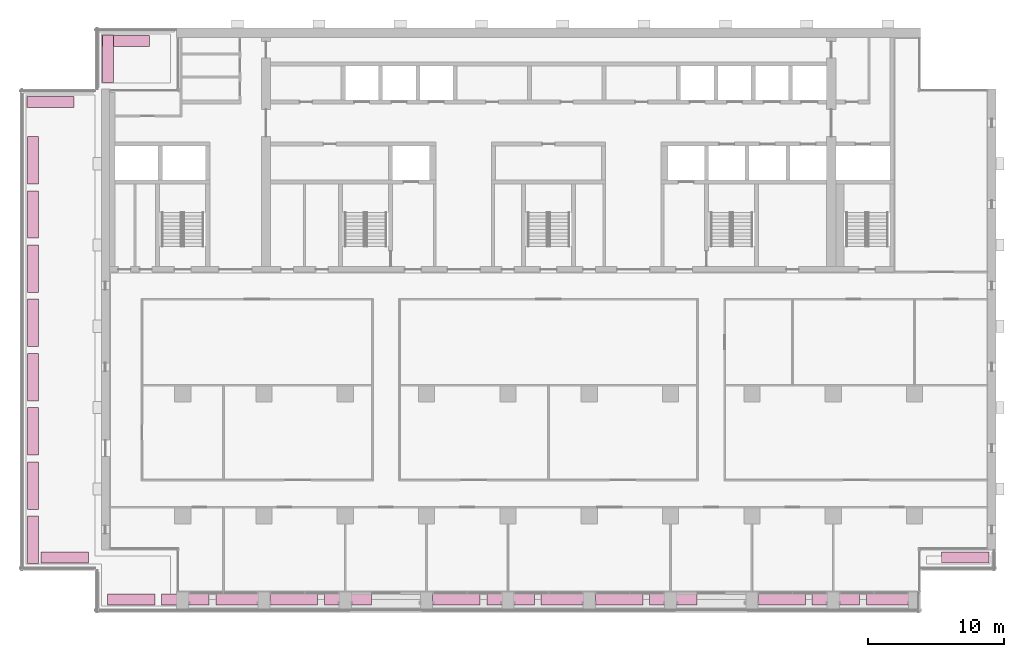
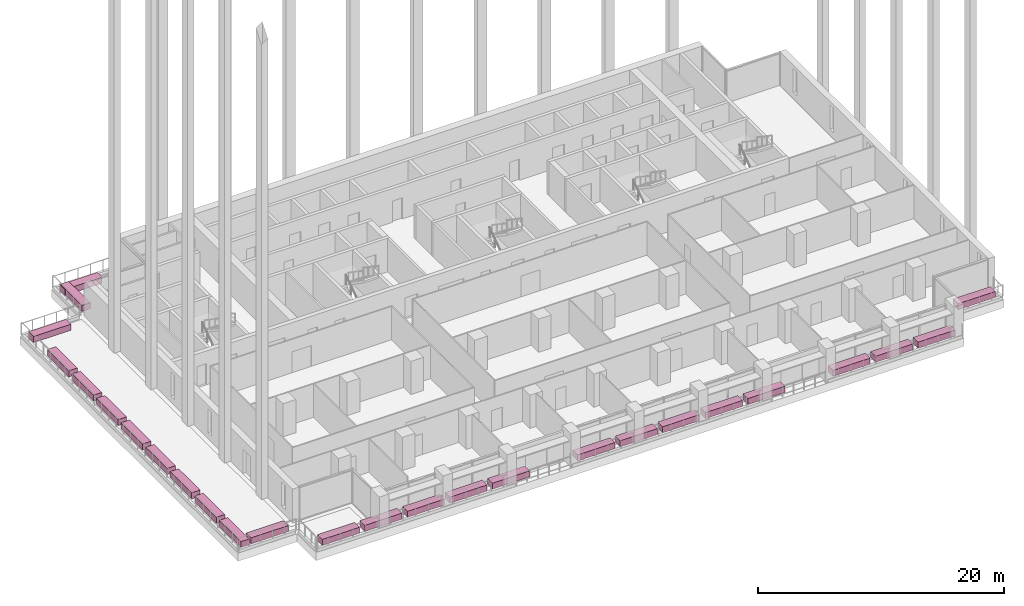
# One storey, part 19 of 19: 26 furniture elements.
"""IFC4 building model written with IfcOpenShell, lengths in metres."""

from ifc_helpers import new_model, si_unit, direction, frame, origin, origin_2d, place, context, subcontext, project, spatial, rectangle, extrude, element, save


model = new_model("IFC4")

# Units and contexts
model_context = context("Model", 3, precision=1e-05, world=origin(), true_north=direction((0.0, 1.0)))
body_context = subcontext(model_context, "Body", "Model", "MODEL_VIEW")
ifc_project = project(units=[si_unit("LENGTHUNIT", "METRE"), si_unit("AREAUNIT", "SQUARE_METRE"), si_unit("VOLUMEUNIT", "CUBIC_METRE"), si_unit("PLANEANGLEUNIT", "RADIAN"), si_unit("MASSUNIT", "GRAM", prefix="KILO")], contexts=[model_context])

# Site, building, storey
site_placement = place(None, origin())
site = spatial("IfcSite", under=ifc_project, at=site_placement, CompositionType="ELEMENT")
building_placement = place(site_placement, origin())
building = spatial("IfcBuilding", under=site, at=building_placement, Name="Calvaro Tower", CompositionType="ELEMENT")
storey_placement = place(building_placement, frame((0.0, 0.0, 166.75)))
storey = spatial("IfcBuildingStorey", under=building, at=storey_placement, Name="L41", CompositionType="ELEMENT", Elevation=166.75)

# Furniture
for number, where, z_axis, x_axis, name in (
    (1, (69.75, 6.949951171875, 0.050048828125), (0.0, 0.0, 1.0), (1.0, 0.0, 0.0), "PLANTER L41-01"),
    (2, (3.300048828125, 6.949951171875, 0.050048828125), (0.0, 0.0, 1.0), (1.0, 0.0, 0.0), "PLANTER L41-02"),
):
    element("IfcFurniture", number, at=place(storey_placement, frame(where, z_axis=z_axis, x_axis=x_axis)), inside=storey, Name=name, ObjectType="PLANTER", PredefinedType="USERDEFINED", context=body_context, shape_type="SweptSolid", body=[
        extrude(rectangle(XDim=3.5, YDim=0.800048828125, at=origin_2d()), origin(), (0.0, 0.0, 1.0), 0.60009765625),
    ])
for number, where, z_axis, x_axis, name in (
    (3, (0.949951171875, 8.25, 0.050048828125), (0.0, 0.0, 1.0), (1.0, 0.0, 0.0), "PLANTER L41-03"),
    (4, (0.949951171875, 12.25, 0.050048828125), (0.0, 0.0, 1.0), (1.0, 0.0, 0.0), "PLANTER L41-04"),
    (5, (0.949951171875, 16.25, 0.050048828125), (0.0, 0.0, 1.0), (1.0, 0.0, 0.0), "PLANTER L41-05"),
    (6, (0.949951171875, 20.25, 0.050048828125), (0.0, 0.0, 1.0), (1.0, 0.0, 0.0), "PLANTER L41-06"),
    (7, (0.949951171875, 24.25, 0.050048828125), (0.0, 0.0, 1.0), (1.0, 0.0, 0.0), "PLANTER L41-07"),
    (8, (0.949951171875, 28.25, 0.050048828125), (0.0, 0.0, 1.0), (1.0, 0.0, 0.0), "PLANTER L41-08"),
    (9, (0.949951171875, 32.25, 0.050048828125), (0.0, 0.0, 1.0), (1.0, 0.0, 0.0), "PLANTER L41-09"),
    (10, (0.949951171875, 36.25, 0.050048828125), (0.0, 0.0, 1.0), (1.0, 0.0, 0.0), "PLANTER L41-10"),
):
    element("IfcFurniture", number, at=place(storey_placement, frame(where, z_axis=z_axis, x_axis=x_axis)), inside=storey, Name=name, ObjectType="PLANTER", PredefinedType="USERDEFINED", context=body_context, shape_type="SweptSolid", body=[
        extrude(rectangle(XDim=0.800048828125, YDim=3.5, at=origin_2d()), origin(), (0.0, 0.0, 1.0), 0.60009765625),
    ])
furniture_1_placement = place(storey_placement, frame((2.25, 40.550048828125, 0.050048828125), z_axis=(0.0, 0.0, 1.0), x_axis=(1.0, 0.0, 0.0)))
element("IfcFurniture", 11, at=furniture_1_placement, inside=storey, Name="PLANTER L41-11", ObjectType="PLANTER", PredefinedType="USERDEFINED", context=body_context, shape_type="SweptSolid", body=[
    extrude(rectangle(XDim=3.5, YDim=0.800048828125, at=origin_2d()), origin(), (0.0, 0.0, 1.0), 0.60009765625),
])
furniture_2_placement = place(storey_placement, frame((6.5, 43.75, 0.050048828125), z_axis=(0.0, 0.0, 1.0), x_axis=(1.0, 0.0, 0.0)))
element("IfcFurniture", 12, at=furniture_2_placement, inside=storey, Name="PLANTER L41-12", ObjectType="PLANTER", PredefinedType="USERDEFINED", context=body_context, shape_type="SweptSolid", body=[
    extrude(rectangle(XDim=0.800048828125, YDim=3.5, at=origin_2d()), origin(), (0.0, 0.0, 1.0), 0.60009765625),
])
for number, where, z_axis, x_axis, name in (
    (13, (7.800048828125, 45.050048828125, 0.050048828125), (0.0, 0.0, 1.0), (1.0, 0.0, 0.0), "PLANTER L41-13"),
    (14, (64.199951171875, 3.85009765625, 0.050048828125), (0.0, 0.0, 1.0), (1.0, 0.0, 0.0), "PLANTER L41-14"),
    (15, (60.199951171875, 3.85009765625, 0.050048828125), (0.0, 0.0, 1.0), (1.0, 0.0, 0.0), "PLANTER L41-15"),
    (16, (56.199951171875, 3.85009765625, 0.050048828125), (0.0, 0.0, 1.0), (1.0, 0.0, 0.0), "PLANTER L41-16"),
    (17, (48.199951171875, 3.85009765625, 0.050048828125), (0.0, 0.0, 1.0), (1.0, 0.0, 0.0), "PLANTER L41-17"),
    (18, (44.199951171875, 3.85009765625, 0.050048828125), (0.0, 0.0, 1.0), (1.0, 0.0, 0.0), "PLANTER L41-18"),
    (19, (40.199951171875, 3.85009765625, 0.050048828125), (0.0, 0.0, 1.0), (1.0, 0.0, 0.0), "PLANTER L41-19"),
    (20, (36.199951171875, 3.85009765625, 0.050048828125), (0.0, 0.0, 1.0), (1.0, 0.0, 0.0), "PLANTER L41-20"),
    (21, (32.199951171875, 3.85009765625, 0.050048828125), (0.0, 0.0, 1.0), (1.0, 0.0, 0.0), "PLANTER L41-21"),
    (22, (24.199951171875, 3.85009765625, 0.050048828125), (0.0, 0.0, 1.0), (1.0, 0.0, 0.0), "PLANTER L41-22"),
    (23, (20.199951171875, 3.85009765625, 0.050048828125), (0.0, 0.0, 1.0), (1.0, 0.0, 0.0), "PLANTER L41-23"),
    (24, (16.199951171875, 3.85009765625, 0.050048828125), (0.0, 0.0, 1.0), (1.0, 0.0, 0.0), "PLANTER L41-24"),
    (25, (12.199951171875, 3.85009765625, 0.050048828125), (0.0, 0.0, 1.0), (1.0, 0.0, 0.0), "PLANTER L41-25"),
    (26, (8.199951171875, 3.85009765625, 0.050048828125), (0.0, 0.0, 1.0), (1.0, 0.0, 0.0), "PLANTER L41-26"),
):
    element("IfcFurniture", number, at=place(storey_placement, frame(where, z_axis=z_axis, x_axis=x_axis)), inside=storey, Name=name, ObjectType="PLANTER", PredefinedType="USERDEFINED", context=body_context, shape_type="SweptSolid", body=[
        extrude(rectangle(XDim=3.5, YDim=0.800048828125, at=origin_2d()), origin(), (0.0, 0.0, 1.0), 0.60009765625),
    ])

save(model, "model.ifc")
